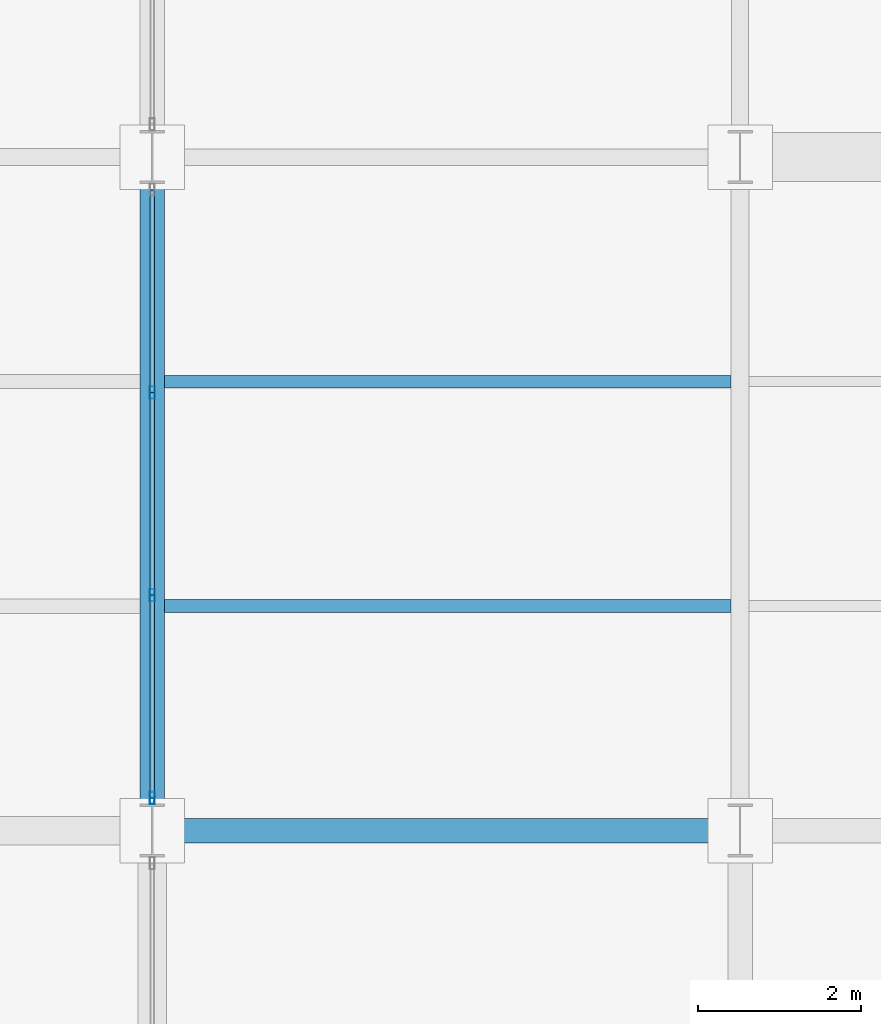
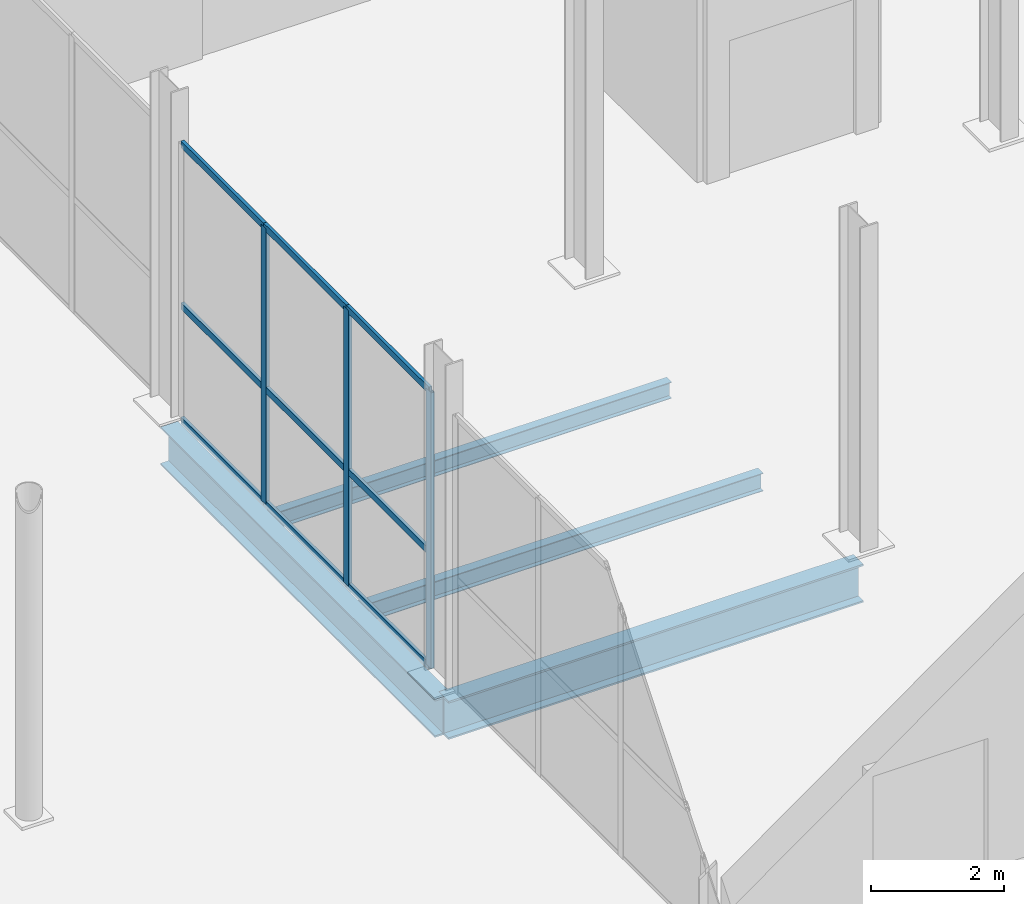
# One storey, part 26 of 144: 12 members, 4 beams, 1 element without a shape of its own.
"""IFC4 building model written with IfcOpenShell, lengths in metres."""

from ifc_helpers import new_model, si_unit, direction, frame, origin, origin_2d, place, context, subcontext, project, spatial, hollow_rectangle, i_section, extrude, material, layer, layer_set, material_profile, profile_set, type_object, element, aggregate, save


model = new_model("IFC4")

# Units and contexts
model_context = context("Model", 3, precision=1e-05, world=origin(), true_north=direction((0.0, 1.0)))
body_context = subcontext(model_context, "Body", "Model", "MODEL_VIEW")
ifc_project = project(units=[si_unit("LENGTHUNIT", "METRE"), si_unit("AREAUNIT", "SQUARE_METRE"), si_unit("VOLUMEUNIT", "CUBIC_METRE"), si_unit("PLANEANGLEUNIT", "RADIAN"), si_unit("MASSUNIT", "GRAM", prefix="KILO")], contexts=[model_context])

# Site, building, storey
site_placement = place(None, origin())
site = spatial("IfcSite", under=ifc_project, at=site_placement, CompositionType="ELEMENT")
building_placement = place(site_placement, origin())
building = spatial("IfcBuilding", under=site, at=building_placement, Name="Sundgate Opera House", CompositionType="ELEMENT")
storey_placement = place(building_placement, origin())
storey = spatial("IfcBuildingStorey", under=building, at=storey_placement, Name="L00", CompositionType="ELEMENT", Elevation=0.0)

# Beams
ifc_material_1 = material(Name="Steel S355J2", Category="steel")
ifc_material_profile_1 = material_profile(ifc_material_1, i_section(OverallWidth=0.300048828125, OverallDepth=0.699951171875, WebThickness=0.01708984375, FlangeThickness=0.031982421875, at=origin_2d()), Name="HEB 700")
ifc_profile_set_1 = profile_set([ifc_material_profile_1], Name="Steel S355J2")
beam_type_1 = type_object("IfcBeamType", Name="BM-GR-HEB700", PredefinedType="BEAM", material=ifc_profile_set_1)
beam_1_placement = place(storey_placement, frame((95.39990234375, 8.25, -0.669921875), z_axis=(0.0, 1.0, 0.0), x_axis=(-1.0, 0.0, 0.0)))
element("IfcBeam", 1, at=beam_1_placement, inside=storey, type_object=beam_type_1, Name="L00 Primary N-S Girder B0191", PredefinedType="BEAM", context=body_context, shape_type="SweptSolid", body=[
    extrude(i_section(OverallWidth=0.300048828125, OverallDepth=0.699951171875, WebThickness=0.01708984375, FlangeThickness=0.031982421875, at=origin_2d()), origin(), (0.0, 0.0, 1.0), 8.25),
])
beam_2_placement = place(storey_placement, frame((95.39990234375, 8.25, -0.669921875), z_axis=(1.0, 0.0, 0.0), x_axis=(0.0, 1.0, 0.0)))
element("IfcBeam", 2, at=beam_2_placement, inside=storey, type_object=beam_type_1, Name="L00 Primary E-W Girder B0344", PredefinedType="BEAM", context=body_context, shape_type="SweptSolid", body=[
    extrude(i_section(OverallWidth=0.300048828125, OverallDepth=0.699951171875, WebThickness=0.01708984375, FlangeThickness=0.031982421875, at=origin_2d()), origin(), (0.0, 0.0, 1.0), 7.2001953125),
])
ifc_material_2 = material(Name="Steel S355J2", Category="steel")
ifc_material_profile_2 = material_profile(ifc_material_2, i_section(OverallWidth=0.14990234375, OverallDepth=0.300048828125, WebThickness=0.007080078125, FlangeThickness=0.0107421875, at=origin_2d()), Name="IPE 300")
ifc_profile_set_2 = profile_set([ifc_material_profile_2], Name="Steel S355J2")
beam_type_2 = type_object("IfcBeamType", Name="BM-JS-IPE300", PredefinedType="JOIST", material=ifc_profile_set_2)
beam_3_placement = place(storey_placement, frame((95.550048828125, 13.75, -0.469970703125), z_axis=(1.0, 0.0, 0.0), x_axis=(0.0, 1.0, 0.0)))
element("IfcBeam", 3, at=beam_3_placement, inside=storey, type_object=beam_type_2, Name="L00 Secondary Floor Joist B0634", PredefinedType="JOIST", context=body_context, shape_type="SweptSolid", body=[
    extrude(i_section(OverallWidth=0.14990234375, OverallDepth=0.300048828125, WebThickness=0.007080078125, FlangeThickness=0.0107421875, at=origin_2d()), origin(), (0.0, 0.0, 1.0), 6.93994140625),
])
ifc_material_3 = material(Name="Steel S355J2", Category="steel")
ifc_material_profile_3 = material_profile(ifc_material_3, i_section(OverallWidth=0.159912109375, OverallDepth=0.330078125, WebThickness=0.007568359375, FlangeThickness=0.011474609375, at=origin_2d()), Name="IPE 330")
ifc_profile_set_3 = profile_set([ifc_material_profile_3], Name="Steel S355J2")
beam_type_3 = type_object("IfcBeamType", Name="BM-JS-IPE330", PredefinedType="JOIST", material=ifc_profile_set_3)
beam_4_placement = place(storey_placement, frame((95.550048828125, 11.0, -0.485107421875), z_axis=(1.0, 0.0, 0.0), x_axis=(0.0, 1.0, 0.0)))
element("IfcBeam", 4, at=beam_4_placement, inside=storey, type_object=beam_type_3, Name="L00 Secondary Floor Joist B0633", PredefinedType="JOIST", context=body_context, shape_type="SweptSolid", body=[
    extrude(i_section(OverallWidth=0.159912109375, OverallDepth=0.330078125, WebThickness=0.007568359375, FlangeThickness=0.011474609375, at=origin_2d()), origin(), (0.0, 0.0, 1.0), 6.93994140625),
])

# Curtain wall, members
ifc_material_4 = material(Name="Anodized aluminium and low-iron glass", Category="aluminium")
ifc_layer = layer(ifc_material_4, 0.14990234375)
ifc_layer_set = layer_set([ifc_layer], Name="Anodized aluminium and low-iron glass")
curtain_wall_type = type_object("IfcCurtainWallType", Name="CW-WORKSHOP-DARK", PredefinedType="NOTDEFINED", material=ifc_layer_set)
curtain_wall_placement = place(storey_placement, origin())
curtain_wall = element("IfcCurtainWall", 5, at=curtain_wall_placement, inside=storey, type_object=curtain_wall_type, Name="L00 Curtain Wall CW132", PredefinedType="NOTDEFINED")
ifc_material_5 = material(Name="Anodized aluminium EN AW-6063", Category="aluminium")
ifc_material_profile_4 = material_profile(ifc_material_5, hollow_rectangle(XDim=0.06005859375, YDim=0.14990234375, WallThickness=0.00390625, at=origin_2d()), Name="CWM 150x60x4")
ifc_profile_set_4 = profile_set([ifc_material_profile_4], Name="Anodized aluminium EN AW-6063")
member_type_1 = type_object("IfcMemberType", Name="CWM-ALU-150x60", PredefinedType="MULLION", material=ifc_profile_set_4)
member_1_placement = place(storey_placement, frame((95.39990234375, 13.61669921875, 0.0), z_axis=(0.0, 0.0, 1.0), x_axis=(1.0, 0.0, 0.0)))
member_1 = element("IfcMember", 6, at=member_1_placement, type_object=member_type_1, Name="CW132 Mullion 2", PredefinedType="MULLION", context=body_context, shape_type="SweptSolid", body=[
    extrude(hollow_rectangle(XDim=0.06005859375, YDim=0.14990234375, WallThickness=0.00390625, at=origin_2d()), origin(), (0.0, 0.0, 1.0), 5.06494140625),
])
member_2_placement = place(storey_placement, frame((95.39990234375, 11.13330078125, 0.0), z_axis=(0.0, 0.0, 1.0), x_axis=(1.0, 0.0, 0.0)))
member_2 = element("IfcMember", 7, at=member_2_placement, type_object=member_type_1, Name="CW132 Mullion 3", PredefinedType="MULLION", context=body_context, shape_type="SweptSolid", body=[
    extrude(hollow_rectangle(XDim=0.06005859375, YDim=0.14990234375, WallThickness=0.00390625, at=origin_2d()), origin(), (0.0, 0.0, 1.0), 5.06494140625),
])
member_3_placement = place(storey_placement, frame((95.39990234375, 8.64990234375, 0.0), z_axis=(0.0, 0.0, 1.0), x_axis=(1.0, 0.0, 0.0)))
member_3 = element("IfcMember", 8, at=member_3_placement, type_object=member_type_1, Name="CW132 Mullion 4", PredefinedType="MULLION", context=body_context, shape_type="SweptSolid", body=[
    extrude(hollow_rectangle(XDim=0.06005859375, YDim=0.14990234375, WallThickness=0.00390625, at=origin_2d()), origin(), (0.0, 0.0, 1.0), 5.06494140625),
])
ifc_material_6 = material(Name="Anodized aluminium EN AW-6063", Category="aluminium")
ifc_material_profile_5 = material_profile(ifc_material_6, hollow_rectangle(XDim=0.054931640625, YDim=0.1201171875, WallThickness=0.00390625, at=origin_2d()), Name="CWT 120x55x4")
ifc_profile_set_5 = profile_set([ifc_material_profile_5], Name="Anodized aluminium EN AW-6063")
member_type_2 = type_object("IfcMemberType", Name="CWT-ALU-120x55", PredefinedType="USERDEFINED", material=ifc_profile_set_5)
member_4_placement = place(storey_placement, frame((95.39990234375, 16.10009765625, 0.0), z_axis=(0.0, -1.0, 0.0), x_axis=(1.0, 0.0, 0.0)))
member_4 = element("IfcMember", 9, at=member_4_placement, type_object=member_type_2, Name="CW132 Transom 1", ObjectType="TRANSOM", PredefinedType="USERDEFINED", context=body_context, shape_type="SweptSolid", body=[
    extrude(hollow_rectangle(XDim=0.054931640625, YDim=0.1201171875, WallThickness=0.00390625, at=origin_2d()), origin(), (0.0, 0.0, 1.0), 2.4833984375),
])
member_5_placement = place(storey_placement, frame((95.39990234375, 16.10009765625, 2.10009765625), z_axis=(0.0, -1.0, 0.0), x_axis=(1.0, 0.0, 0.0)))
member_5 = element("IfcMember", 10, at=member_5_placement, type_object=member_type_2, Name="CW132 Transom 2", ObjectType="TRANSOM", PredefinedType="USERDEFINED", context=body_context, shape_type="SweptSolid", body=[
    extrude(hollow_rectangle(XDim=0.054931640625, YDim=0.1201171875, WallThickness=0.00390625, at=origin_2d()), origin(), (0.0, 0.0, 1.0), 2.4833984375),
])
member_6_placement = place(storey_placement, frame((95.39990234375, 16.10009765625, 5.06494140625), z_axis=(0.0, -1.0, 0.0), x_axis=(1.0, 0.0, 0.0)))
member_6 = element("IfcMember", 11, at=member_6_placement, type_object=member_type_2, Name="CW132 Transom 3", ObjectType="TRANSOM", PredefinedType="USERDEFINED", context=body_context, shape_type="SweptSolid", body=[
    extrude(hollow_rectangle(XDim=0.054931640625, YDim=0.1201171875, WallThickness=0.00390625, at=origin_2d()), origin(), (0.0, 0.0, 1.0), 2.4833984375),
])
member_7_placement = place(storey_placement, frame((95.39990234375, 13.61669921875, 0.0), z_axis=(0.0, -1.0, 0.0), x_axis=(1.0, 0.0, 0.0)))
member_7 = element("IfcMember", 12, at=member_7_placement, type_object=member_type_2, Name="CW132 Transom 4", ObjectType="TRANSOM", PredefinedType="USERDEFINED", context=body_context, shape_type="SweptSolid", body=[
    extrude(hollow_rectangle(XDim=0.054931640625, YDim=0.1201171875, WallThickness=0.00390625, at=origin_2d()), origin(), (0.0, 0.0, 1.0), 2.4833984375),
])
member_8_placement = place(storey_placement, frame((95.39990234375, 13.61669921875, 2.10009765625), z_axis=(0.0, -1.0, 0.0), x_axis=(1.0, 0.0, 0.0)))
member_8 = element("IfcMember", 13, at=member_8_placement, type_object=member_type_2, Name="CW132 Transom 5", ObjectType="TRANSOM", PredefinedType="USERDEFINED", context=body_context, shape_type="SweptSolid", body=[
    extrude(hollow_rectangle(XDim=0.054931640625, YDim=0.1201171875, WallThickness=0.00390625, at=origin_2d()), origin(), (0.0, 0.0, 1.0), 2.4833984375),
])
member_9_placement = place(storey_placement, frame((95.39990234375, 13.61669921875, 5.06494140625), z_axis=(0.0, -1.0, 0.0), x_axis=(1.0, 0.0, 0.0)))
member_9 = element("IfcMember", 14, at=member_9_placement, type_object=member_type_2, Name="CW132 Transom 6", ObjectType="TRANSOM", PredefinedType="USERDEFINED", context=body_context, shape_type="SweptSolid", body=[
    extrude(hollow_rectangle(XDim=0.054931640625, YDim=0.1201171875, WallThickness=0.00390625, at=origin_2d()), origin(), (0.0, 0.0, 1.0), 2.4833984375),
])
member_10_placement = place(storey_placement, frame((95.39990234375, 11.13330078125, 0.0), z_axis=(0.0, -1.0, 0.0), x_axis=(1.0, 0.0, 0.0)))
member_10 = element("IfcMember", 15, at=member_10_placement, type_object=member_type_2, Name="CW132 Transom 7", ObjectType="TRANSOM", PredefinedType="USERDEFINED", context=body_context, shape_type="SweptSolid", body=[
    extrude(hollow_rectangle(XDim=0.054931640625, YDim=0.1201171875, WallThickness=0.00390625, at=origin_2d()), origin(), (0.0, 0.0, 1.0), 2.4833984375),
])
member_11_placement = place(storey_placement, frame((95.39990234375, 11.13330078125, 2.10009765625), z_axis=(0.0, -1.0, 0.0), x_axis=(1.0, 0.0, 0.0)))
member_11 = element("IfcMember", 16, at=member_11_placement, type_object=member_type_2, Name="CW132 Transom 8", ObjectType="TRANSOM", PredefinedType="USERDEFINED", context=body_context, shape_type="SweptSolid", body=[
    extrude(hollow_rectangle(XDim=0.054931640625, YDim=0.1201171875, WallThickness=0.00390625, at=origin_2d()), origin(), (0.0, 0.0, 1.0), 2.4833984375),
])
member_12_placement = place(storey_placement, frame((95.39990234375, 11.13330078125, 5.06494140625), z_axis=(0.0, -1.0, 0.0), x_axis=(1.0, 0.0, 0.0)))
member_12 = element("IfcMember", 17, at=member_12_placement, type_object=member_type_2, Name="CW132 Transom 9", ObjectType="TRANSOM", PredefinedType="USERDEFINED", context=body_context, shape_type="SweptSolid", body=[
    extrude(hollow_rectangle(XDim=0.054931640625, YDim=0.1201171875, WallThickness=0.00390625, at=origin_2d()), origin(), (0.0, 0.0, 1.0), 2.4833984375),
])
aggregate(curtain_wall, [member_1, member_2, member_3, member_4, member_5, member_6, member_7, member_8, member_9, member_10, member_11, member_12])

save(model, "model.ifc")
